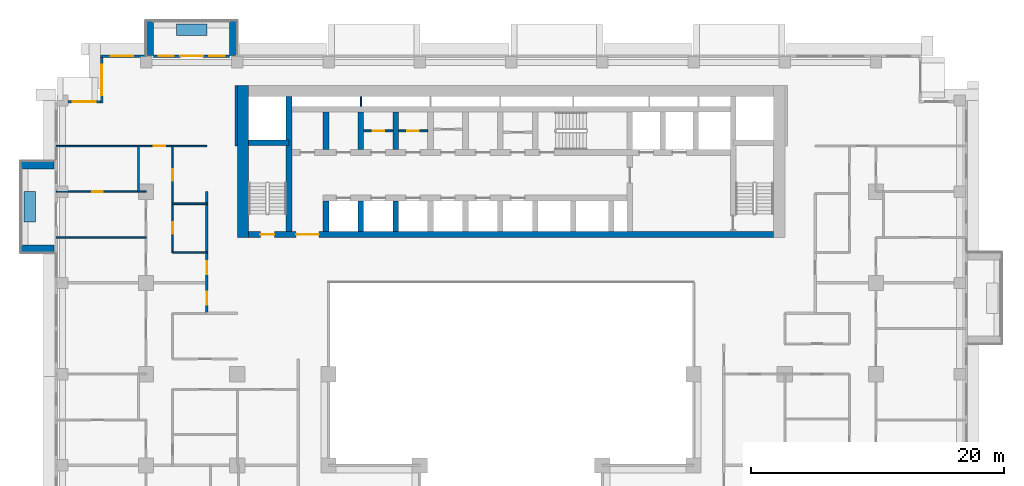
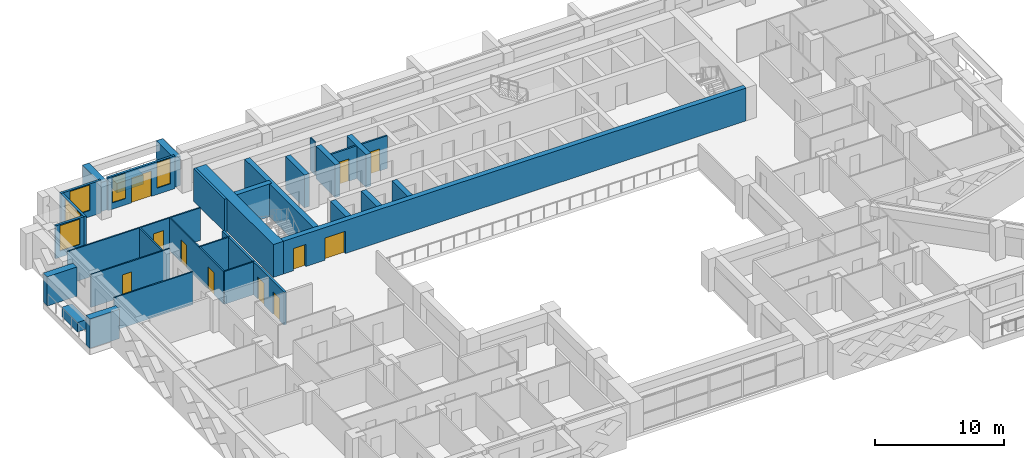
# One storey, part 9 of 17: 32 walls, 11 doors, 5 windows, 16 openings.
"""IFC4 building model written with IfcOpenShell, lengths in metres."""

from ifc_helpers import new_model, si_unit, direction, frame, frame_2d, origin, place, context, subcontext, project, spatial, rectangle, extrude, material, layer, layer_set, type_object, element, fill, save


model = new_model("IFC4")

# Units and contexts
model_context = context("Model", 3, precision=1e-05, world=origin(), true_north=direction((0.0, 1.0)))
body_context = subcontext(model_context, "Body", "Model", "MODEL_VIEW")
ifc_project = project(units=[si_unit("LENGTHUNIT", "METRE"), si_unit("AREAUNIT", "SQUARE_METRE"), si_unit("VOLUMEUNIT", "CUBIC_METRE"), si_unit("PLANEANGLEUNIT", "RADIAN"), si_unit("MASSUNIT", "GRAM", prefix="KILO")], contexts=[model_context])

# Site, building, storey
site_placement = place(None, origin())
site = spatial("IfcSite", under=ifc_project, at=site_placement, CompositionType="ELEMENT")
building_placement = place(site_placement, origin())
building = spatial("IfcBuilding", under=site, at=building_placement, Name="Saffron Iwan Residences", CompositionType="ELEMENT")
storey_placement = place(building_placement, frame((0.0, 0.0, 104.0)))
storey = spatial("IfcBuildingStorey", under=building, at=storey_placement, Name="L27", CompositionType="ELEMENT", Elevation=104.0)

# Walls
ifc_material_1 = material(Name="Concrete C50/60 white painted", Category="concrete")
ifc_layer_1 = layer(ifc_material_1, 0.60009765625)
ifc_layer_set_1 = layer_set([ifc_layer_1], Name="Concrete C50/60 white painted")
wall_type_1 = type_object("IfcWallType", Name="BALCONY FIN 600", PredefinedType="SOLIDWALL", material=ifc_layer_set_1)
for number, where, z_axis, x_axis, name in (
    (1, (28.5, 80.35009765625, 0.0), (0.0, 0.0, 1.0), (0.0, 1.0, 0.0), "Balcony fin L27 F5-3a"),
    (2, (21.89990234375, 80.35009765625, 0.0), (0.0, 0.0, 1.0), (0.0, 1.0, 0.0), "Balcony fin L27 F5-3b"),
):
    element("IfcWall", number, at=place(storey_placement, frame(where, z_axis=z_axis, x_axis=x_axis)), inside=storey, type_object=wall_type_1, Name=name, PredefinedType="SOLIDWALL", context=body_context, shape_type="SweptSolid", body=[
        extrude(rectangle(XDim=2.75, YDim=0.60009765625, at=frame_2d((1.375, 0.0))), origin(), (0.0, 0.0, 1.0), 2.77001953125),
    ])
for number, where, z_axis, x_axis, name in (
    (3, (14.35009765625, 71.699951171875, 0.0), (0.0, 0.0, 1.0), (-1.0, 0.0, 0.0), "Balcony fin L27 F8-0a"),
    (4, (14.35009765625, 65.10009765625, 0.0), (0.0, 0.0, 1.0), (-1.0, 0.0, 0.0), "Balcony fin L27 F8-0b"),
):
    element("IfcWall", number, at=place(storey_placement, frame(where, z_axis=z_axis, x_axis=x_axis)), inside=storey, type_object=wall_type_1, Name=name, PredefinedType="SOLIDWALL", context=body_context, shape_type="SweptSolid", body=[
        extrude(rectangle(XDim=2.650146484375, YDim=0.60009765625, at=frame_2d((1.3251953125, 0.0))), origin(), (0.0, 0.0, 1.0), 2.77001953125),
    ])
ifc_material_2 = material(Name="Concrete C35/45 white painted", Category="concrete")
ifc_layer_2 = layer(ifc_material_2, 0.14990234375)
ifc_layer_set_2 = layer_set([ifc_layer_2], Name="Concrete C35/45 white painted")
wall_type_2 = type_object("IfcWallType", Name="BALCONY PLANTER", PredefinedType="SOLIDWALL", material=ifc_layer_set_2)
wall_1_placement = place(storey_placement, frame((26.39990234375, 82.375, 0.0), z_axis=(0.0, 0.0, 1.0), x_axis=(-1.0, 0.0, 0.0)))
element("IfcWall", 5, at=wall_1_placement, inside=storey, type_object=wall_type_2, Name="PLANTER L27 F5-3", PredefinedType="SOLIDWALL", context=body_context, shape_type="SweptSolid", body=[
    extrude(rectangle(XDim=2.39990234375, YDim=0.89990234375, at=frame_2d((1.199951171875, 0.0))), origin(), (0.0, 0.0, 1.0), 0.89990234375),
])
wall_2_placement = place(storey_placement, frame((12.425048828125, 69.60009765625, 0.0), z_axis=(0.0, 0.0, 1.0), x_axis=(0.0, -1.0, 0.0)))
element("IfcWall", 6, at=wall_2_placement, inside=storey, type_object=wall_type_2, Name="PLANTER L27 F8-0", PredefinedType="SOLIDWALL", context=body_context, shape_type="SweptSolid", body=[
    extrude(rectangle(XDim=2.400146484375, YDim=0.89990234375, at=frame_2d((1.2001953125, 0.0))), origin(), (0.0, 0.0, 1.0), 0.89990234375),
])

# Wall, opening, door
ifc_material_3 = material(Name="Fire-rated plasterboard partition")
ifc_layer_3 = layer(ifc_material_3, 0.14990234375)
ifc_layer_set_3 = layer_set([ifc_layer_3], Name="Fire-rated plasterboard partition")
wall_type_3 = type_object("IfcWallType", Name="Core partition 150", PredefinedType="PARTITIONING", material=ifc_layer_set_3)
wall_3_placement = place(storey_placement, frame((38.77490234375, 74.39990234375, 0.0), z_axis=(0.0, 0.0, 1.0), x_axis=(1.0, 0.0, 0.0)))
wall_3 = element("IfcWall", 7, at=wall_3_placement, inside=storey, type_object=wall_type_3, Name="Core partition P01", PredefinedType="PARTITIONING", context=body_context, shape_type="SweptSolid", body=[
    extrude(rectangle(XDim=2.300048828125, YDim=0.14990234375, at=frame_2d((1.14990234375, 0.0))), origin(), (0.0, 0.0, 1.0), 3.10009765625),
])
opening_1_placement = place(wall_3_placement, frame((0.699951171875, 0.0, 0.0)))
opening_1 = element("IfcOpeningElement", 8, at=opening_1_placement, cuts=wall_3, Name="Opening SB", PredefinedType="OPENING", context=body_context, shape_type="SweptSolid", body=[
    extrude(rectangle(XDim=0.89990234375, YDim=2.10009765625, at=frame_2d((0.449951171875, 1.050048828125))), frame((0.0, 0.0849609375, 0.0), z_axis=(0.0, -1.0, 0.0), x_axis=(1.0, 0.0, 0.0)), (0.0, 0.0, 1.0), 0.169921875),
])
ifc_material_4 = material(Name="Steel fire door", Category="steel")
door_type_1 = type_object("IfcDoorType", Name="Store door 900", OperationType="NOTDEFINED", PredefinedType="DOOR", material=ifc_material_4)
door_1_placement = place(opening_1_placement, origin())
door_1 = element("IfcDoor", 9, at=door_1_placement, inside=storey, type_object=door_type_1, Name="Door Records store", OperationType="SINGLE_SWING_RIGHT", OverallHeight=2.10009765625, OverallWidth=0.89990234375, PredefinedType="DOOR", context=body_context, shape_type="SweptSolid", body=[
    extrude(rectangle(XDim=0.89990234375, YDim=2.10009765625, at=frame_2d((0.449951171875, 1.050048828125))), frame((0.0, 0.02490234375, 0.0), z_axis=(0.0, -1.0, 0.0), x_axis=(1.0, 0.0, 0.0)), (0.0, 0.0, 1.0), 0.050048828125),
])
fill(opening_1, door_1)

wall_4_placement = place(storey_placement, frame((41.52490234375, 74.39990234375, 0.0), z_axis=(0.0, 0.0, 1.0), x_axis=(1.0, 0.0, 0.0)))
wall_4 = element("IfcWall", 10, at=wall_4_placement, inside=storey, type_object=wall_type_3, Name="Core partition P02", PredefinedType="PARTITIONING", context=body_context, shape_type="SweptSolid", body=[
    extrude(rectangle(XDim=2.300048828125, YDim=0.14990234375, at=frame_2d((1.14990234375, 0.0))), origin(), (0.0, 0.0, 1.0), 3.10009765625),
])
opening_2_placement = place(wall_4_placement, frame((0.699951171875, 0.0, 0.0)))
opening_2 = element("IfcOpeningElement", 11, at=opening_2_placement, cuts=wall_4, Name="Opening SB", PredefinedType="OPENING", context=body_context, shape_type="SweptSolid", body=[
    extrude(rectangle(XDim=0.89990234375, YDim=2.10009765625, at=frame_2d((0.449951171875, 1.050048828125))), frame((0.0, 0.0849609375, 0.0), z_axis=(0.0, -1.0, 0.0), x_axis=(1.0, 0.0, 0.0)), (0.0, 0.0, 1.0), 0.169921875),
])
door_2_placement = place(opening_2_placement, origin())
door_2 = element("IfcDoor", 12, at=door_2_placement, inside=storey, type_object=door_type_1, Name="Door Stationery store", OperationType="SINGLE_SWING_LEFT", OverallHeight=2.10009765625, OverallWidth=0.89990234375, PredefinedType="DOOR", context=body_context, shape_type="SweptSolid", body=[
    extrude(rectangle(XDim=0.89990234375, YDim=2.10009765625, at=frame_2d((0.449951171875, 1.050048828125))), frame((0.0, 0.02490234375, 0.0), z_axis=(0.0, -1.0, 0.0), x_axis=(1.0, 0.0, 0.0)), (0.0, 0.0, 1.0), 0.050048828125),
])
fill(opening_2, door_2)

# Wall, openings, door, windows
ifc_material_5 = material(Name="Concrete C40/50", Category="concrete")
ifc_layer_4 = layer(ifc_material_5, 0.199951171875)
ifc_layer_set_4 = layer_set([ifc_layer_4], Name="Concrete C40/50")
wall_type_4 = type_object("IfcWallType", Name="EXTERNAL WALL 200", PredefinedType="SOLIDWALL", material=ifc_layer_set_4)
wall_5_placement = place(storey_placement, frame((28.199951171875, 80.300048828125, 0.0), z_axis=(0.0, 0.0, 1.0), x_axis=(-1.0, 0.0, 0.0)))
wall_5 = element("IfcWall", 13, at=wall_5_placement, inside=storey, type_object=wall_type_4, Name="External wall L27 F5.1", PredefinedType="SOLIDWALL", context=body_context, shape_type="SweptSolid", body=[
    extrude(rectangle(XDim=6.0, YDim=0.199951171875, at=frame_2d((3.0, 0.0))), origin(), (0.0, 0.0, 1.0), 3.10009765625),
])
opening_3_placement = place(wall_5_placement, frame((2.10009765625, 0.0, 0.0)))
opening_3 = element("IfcOpeningElement", 14, at=opening_3_placement, cuts=wall_5, Name="Opening BD1", PredefinedType="OPENING", context=body_context, shape_type="SweptSolid", body=[
    extrude(rectangle(XDim=1.800048828125, YDim=2.39990234375, at=frame_2d((0.89990234375, 1.199951171875))), frame((0.0, 0.10986328125, 0.0), z_axis=(0.0, -1.0, 0.0), x_axis=(1.0, 0.0, 0.0)), (0.0, 0.0, 1.0), 0.219970703125),
])
opening_4_placement = place(wall_5_placement, frame((0.39990234375, 0.0, 0.60009765625)))
opening_4 = element("IfcOpeningElement", 15, at=opening_4_placement, cuts=wall_5, Name="Opening W3", PredefinedType="OPENING", context=body_context, shape_type="SweptSolid", body=[
    extrude(rectangle(XDim=1.199951171875, YDim=2.39990234375, at=frame_2d((0.60009765625, 1.199951171875))), frame((0.0, 0.10986328125, 0.0), z_axis=(0.0, -1.0, 0.0), x_axis=(1.0, 0.0, 0.0)), (0.0, 0.0, 1.0), 0.219970703125),
])
opening_5_placement = place(wall_5_placement, frame((4.39990234375, 0.0, 0.60009765625)))
opening_5 = element("IfcOpeningElement", 16, at=opening_5_placement, cuts=wall_5, Name="Opening W3", PredefinedType="OPENING", context=body_context, shape_type="SweptSolid", body=[
    extrude(rectangle(XDim=1.199951171875, YDim=2.39990234375, at=frame_2d((0.60009765625, 1.199951171875))), frame((0.0, 0.10986328125, 0.0), z_axis=(0.0, -1.0, 0.0), x_axis=(1.0, 0.0, 0.0)), (0.0, 0.0, 1.0), 0.219970703125),
])
ifc_material_6 = material(Name="Clear glass, laminated double glazed", Category="glass")
door_type_2 = type_object("IfcDoorType", Name="BALCONY DOOR 1800 x 2400", OperationType="DOUBLE_DOOR_SLIDING", PredefinedType="DOOR", material=ifc_material_6)
door_3_placement = place(opening_3_placement, origin())
door_3 = element("IfcDoor", 17, at=door_3_placement, inside=storey, type_object=door_type_2, Name="Balcony door L27 F5.0", OperationType="DOUBLE_DOOR_SLIDING", OverallHeight=2.39990234375, OverallWidth=1.800048828125, PredefinedType="DOOR", context=body_context, shape_type="SweptSolid", body=[
    extrude(rectangle(XDim=1.800048828125, YDim=2.39990234375, at=frame_2d((0.89990234375, 1.199951171875))), frame((0.0, 0.02490234375, 0.0), z_axis=(0.0, -1.0, 0.0), x_axis=(1.0, 0.0, 0.0)), (0.0, 0.0, 1.0), 0.050048828125),
])
fill(opening_3, door_3)
window_type_1 = type_object("IfcWindowType", Name="WINDOW 1200 x 2400", PartitioningType="SINGLE_PANEL", PredefinedType="WINDOW", material=ifc_material_6)
window_1_placement = place(opening_4_placement, origin())
window_1 = element("IfcWindow", 18, at=window_1_placement, inside=storey, type_object=window_type_1, Name="Window L27 F5.1", OverallHeight=2.39990234375, OverallWidth=1.199951171875, PartitioningType="SINGLE_PANEL", PredefinedType="WINDOW", context=body_context, shape_type="SweptSolid", body=[
    extrude(rectangle(XDim=1.199951171875, YDim=2.39990234375, at=frame_2d((0.60009765625, 1.199951171875))), frame((0.0, 0.030029296875, 0.0), z_axis=(0.0, -1.0, 0.0), x_axis=(1.0, 0.0, 0.0)), (0.0, 0.0, 1.0), 0.06005859375),
])
fill(opening_4, window_1)
window_2_placement = place(opening_5_placement, origin())
window_2 = element("IfcWindow", 19, at=window_2_placement, inside=storey, type_object=window_type_1, Name="Window L27 F5.2", OverallHeight=2.39990234375, OverallWidth=1.199951171875, PartitioningType="SINGLE_PANEL", PredefinedType="WINDOW", context=body_context, shape_type="SweptSolid", body=[
    extrude(rectangle(XDim=1.199951171875, YDim=2.39990234375, at=frame_2d((0.60009765625, 1.199951171875))), frame((0.0, 0.030029296875, 0.0), z_axis=(0.0, -1.0, 0.0), x_axis=(1.0, 0.0, 0.0)), (0.0, 0.0, 1.0), 0.06005859375),
])
fill(opening_5, window_2)

# Wall, opening, window
wall_6_placement = place(storey_placement, frame((21.60009765625, 80.300048828125, 0.0), z_axis=(0.0, 0.0, 1.0), x_axis=(-1.0, 0.0, 0.0)))
wall_6 = element("IfcWall", 20, at=wall_6_placement, inside=storey, type_object=wall_type_4, Name="External wall L27 F5.2", PredefinedType="SOLIDWALL", context=body_context, shape_type="SweptSolid", body=[
    extrude(rectangle(XDim=3.60009765625, YDim=0.199951171875, at=frame_2d((1.800048828125, 0.0))), origin(), (0.0, 0.0, 1.0), 3.10009765625),
])
opening_6_placement = place(wall_6_placement, frame((1.0, 0.0, 0.60009765625)))
opening_6 = element("IfcOpeningElement", 21, at=opening_6_placement, cuts=wall_6, Name="Opening W8", PredefinedType="OPENING", context=body_context, shape_type="SweptSolid", body=[
    extrude(rectangle(XDim=1.800048828125, YDim=2.39990234375, at=frame_2d((0.89990234375, 1.199951171875))), frame((0.0, 0.10986328125, 0.0), z_axis=(0.0, -1.0, 0.0), x_axis=(1.0, 0.0, 0.0)), (0.0, 0.0, 1.0), 0.219970703125),
])
window_type_2 = type_object("IfcWindowType", Name="WINDOW 1800 x 2400", PartitioningType="DOUBLE_PANEL_VERTICAL", PredefinedType="WINDOW", material=ifc_material_6)
window_3_placement = place(opening_6_placement, origin())
window_3 = element("IfcWindow", 22, at=window_3_placement, inside=storey, type_object=window_type_2, Name="Window L27 F5.0", OverallHeight=2.39990234375, OverallWidth=1.800048828125, PartitioningType="DOUBLE_PANEL_VERTICAL", PredefinedType="WINDOW", context=body_context, shape_type="SweptSolid", body=[
    extrude(rectangle(XDim=1.800048828125, YDim=2.39990234375, at=frame_2d((0.89990234375, 1.199951171875))), frame((0.0, 0.030029296875, 0.0), z_axis=(0.0, -1.0, 0.0), x_axis=(1.0, 0.0, 0.0)), (0.0, 0.0, 1.0), 0.06005859375),
])
fill(opening_6, window_3)

wall_7_placement = place(storey_placement, frame((18.10009765625, 80.199951171875, 0.0), z_axis=(0.0, 0.0, 1.0), x_axis=(0.0, -1.0, 0.0)))
wall_7 = element("IfcWall", 23, at=wall_7_placement, inside=storey, type_object=wall_type_4, Name="External wall L27 F6.0", PredefinedType="SOLIDWALL", context=body_context, shape_type="SweptSolid", body=[
    extrude(rectangle(XDim=3.599853515625, YDim=0.199951171875, at=frame_2d((1.7998046875, 0.0))), origin(), (0.0, 0.0, 1.0), 3.10009765625),
])
opening_7_placement = place(wall_7_placement, frame((0.60009765625, 0.0, 0.60009765625)))
opening_7 = element("IfcOpeningElement", 24, at=opening_7_placement, cuts=wall_7, Name="Opening W1", PredefinedType="OPENING", context=body_context, shape_type="SweptSolid", body=[
    extrude(rectangle(XDim=2.39990234375, YDim=2.39990234375, at=frame_2d((1.199951171875, 1.199951171875))), frame((0.0, 0.10986328125, 0.0), z_axis=(0.0, -1.0, 0.0), x_axis=(1.0, 0.0, 0.0)), (0.0, 0.0, 1.0), 0.219970703125),
])
window_type_3 = type_object("IfcWindowType", Name="WINDOW 2400 x 2400", PartitioningType="DOUBLE_PANEL_VERTICAL", PredefinedType="WINDOW", material=ifc_material_6)
window_4_placement = place(opening_7_placement, origin())
window_4 = element("IfcWindow", 25, at=window_4_placement, inside=storey, type_object=window_type_3, Name="Window L27 F6.0", OverallHeight=2.39990234375, OverallWidth=2.39990234375, PartitioningType="DOUBLE_PANEL_VERTICAL", PredefinedType="WINDOW", context=body_context, shape_type="SweptSolid", body=[
    extrude(rectangle(XDim=2.39990234375, YDim=2.39990234375, at=frame_2d((1.199951171875, 1.199951171875))), frame((0.0, 0.030029296875, 0.0), z_axis=(0.0, -1.0, 0.0), x_axis=(1.0, 0.0, 0.0)), (0.0, 0.0, 1.0), 0.06005859375),
])
fill(opening_7, window_4)

wall_8_placement = place(storey_placement, frame((18.0, 76.699951171875, 0.0), z_axis=(0.0, 0.0, 1.0), x_axis=(-1.0, 0.0, 0.0)))
wall_8 = element("IfcWall", 26, at=wall_8_placement, inside=storey, type_object=wall_type_4, Name="External wall L27 F7.0", PredefinedType="SOLIDWALL", context=body_context, shape_type="SweptSolid", body=[
    extrude(rectangle(XDim=2.550048828125, YDim=0.199951171875, at=frame_2d((1.27490234375, 0.0))), origin(), (0.0, 0.0, 1.0), 3.10009765625),
])
opening_8_placement = place(wall_8_placement, frame((0.375, 0.0, 0.60009765625)))
opening_8 = element("IfcOpeningElement", 27, at=opening_8_placement, cuts=wall_8, Name="Opening W8", PredefinedType="OPENING", context=body_context, shape_type="SweptSolid", body=[
    extrude(rectangle(XDim=1.800048828125, YDim=2.39990234375, at=frame_2d((0.89990234375, 1.199951171875))), frame((0.0, 0.10986328125, 0.0), z_axis=(0.0, -1.0, 0.0), x_axis=(1.0, 0.0, 0.0)), (0.0, 0.0, 1.0), 0.219970703125),
])
window_5_placement = place(opening_8_placement, origin())
window_5 = element("IfcWindow", 28, at=window_5_placement, inside=storey, type_object=window_type_2, Name="Window L27 F7.0", OverallHeight=2.39990234375, OverallWidth=1.800048828125, PartitioningType="DOUBLE_PANEL_VERTICAL", PredefinedType="WINDOW", context=body_context, shape_type="SweptSolid", body=[
    extrude(rectangle(XDim=1.800048828125, YDim=2.39990234375, at=frame_2d((0.89990234375, 1.199951171875))), frame((0.0, 0.030029296875, 0.0), z_axis=(0.0, -1.0, 0.0), x_axis=(1.0, 0.0, 0.0)), (0.0, 0.0, 1.0), 0.06005859375),
])
fill(opening_8, window_5)

# Walls
ifc_material_7 = material(Name="Gypsum board partition")
ifc_layer_5 = layer(ifc_material_7, 0.1201171875)
ifc_layer_set_5 = layer_set([ifc_layer_5], Name="Gypsum board partition")
wall_type_5 = type_object("IfcWallType", Name="Flat partition 120", PredefinedType="PARTITIONING", material=ifc_layer_set_5)
wall_9_placement = place(storey_placement, frame((23.699951171875, 64.800048828125, 0.0), z_axis=(0.0, 0.0, 1.0), x_axis=(1.0, 0.0, 0.0)))
element("IfcWall", 29, at=wall_9_placement, inside=storey, type_object=wall_type_5, Name="W-L27-PART-h64.8-23.7", PredefinedType="PARTITIONING", context=body_context, shape_type="SweptSolid", body=[
    extrude(rectangle(XDim=2.699951171875, YDim=0.1201171875, at=frame_2d((1.35009765625, 0.0))), origin(), (0.0, 0.0, 1.0), 3.10009765625),
])
wall_10_placement = place(storey_placement, frame((14.52490234375, 66.0, 0.0), z_axis=(0.0, 0.0, 1.0), x_axis=(1.0, 0.0, 0.0)))
element("IfcWall", 30, at=wall_10_placement, inside=storey, type_object=wall_type_5, Name="W-L27-PART-h66-14.525", PredefinedType="PARTITIONING", context=body_context, shape_type="SweptSolid", body=[
    extrude(rectangle(XDim=7.0751953125, YDim=0.1201171875, at=frame_2d((3.53759765625, 0.0))), origin(), (0.0, 0.0, 1.0), 3.10009765625),
])
wall_11_placement = place(storey_placement, frame((23.699951171875, 68.64990234375, 0.0), z_axis=(0.0, 0.0, 1.0), x_axis=(1.0, 0.0, 0.0)))
element("IfcWall", 31, at=wall_11_placement, inside=storey, type_object=wall_type_5, Name="W-L27-PART-h68.65-23.7", PredefinedType="PARTITIONING", context=body_context, shape_type="SweptSolid", body=[
    extrude(rectangle(XDim=2.699951171875, YDim=0.1201171875, at=frame_2d((1.35009765625, 0.0))), origin(), (0.0, 0.0, 1.0), 3.10009765625),
])

# Wall, opening, door
wall_12_placement = place(storey_placement, frame((14.52490234375, 69.60009765625, 0.0), z_axis=(0.0, 0.0, 1.0), x_axis=(1.0, 0.0, 0.0)))
wall_12 = element("IfcWall", 32, at=wall_12_placement, inside=storey, type_object=wall_type_5, Name="W-L27-PART-h69.6-14.525", PredefinedType="PARTITIONING", context=body_context, shape_type="SweptSolid", body=[
    extrude(rectangle(XDim=7.0751953125, YDim=0.1201171875, at=frame_2d((3.53759765625, 0.0))), origin(), (0.0, 0.0, 1.0), 3.10009765625),
])
opening_9_placement = place(wall_12_placement, frame((2.83740234375, 0.0, 0.0)))
opening_9 = element("IfcOpeningElement", 33, at=opening_9_placement, cuts=wall_12, Name="Opening FD3", PredefinedType="OPENING", context=body_context, shape_type="SweptSolid", body=[
    extrude(rectangle(XDim=0.800048828125, YDim=2.10009765625, at=frame_2d((0.39990234375, 1.050048828125))), frame((0.0, 0.070068359375, 0.0), z_axis=(0.0, -1.0, 0.0), x_axis=(1.0, 0.0, 0.0)), (0.0, 0.0, 1.0), 0.14013671875),
])
ifc_material_8 = material(Name="Timber door", Category="wood")
door_type_3 = type_object("IfcDoorType", Name="Bathroom door 800", OperationType="NOTDEFINED", PredefinedType="DOOR", material=ifc_material_8)
door_4_placement = place(opening_9_placement, origin())
door_4 = element("IfcDoor", 34, at=door_4_placement, inside=storey, type_object=door_type_3, Name="Door L27-031", OperationType="SINGLE_SWING_RIGHT", OverallHeight=2.10009765625, OverallWidth=0.800048828125, PredefinedType="DOOR", context=body_context, shape_type="SweptSolid", body=[
    extrude(rectangle(XDim=0.800048828125, YDim=2.10009765625, at=frame_2d((0.39990234375, 1.050048828125))), frame((0.0, 0.02490234375, 0.0), z_axis=(0.0, -1.0, 0.0), x_axis=(1.0, 0.0, 0.0)), (0.0, 0.0, 1.0), 0.050048828125),
])
fill(opening_9, door_4)

wall_13_placement = place(storey_placement, frame((14.52490234375, 73.199951171875, 0.0), z_axis=(0.0, 0.0, 1.0), x_axis=(1.0, 0.0, 0.0)))
wall_13 = element("IfcWall", 35, at=wall_13_placement, inside=storey, type_object=wall_type_5, Name="W-L27-PART-h73.2-14.525", PredefinedType="PARTITIONING", context=body_context, shape_type="SweptSolid", body=[
    extrude(rectangle(XDim=11.875, YDim=0.1201171875, at=frame_2d((5.9375, 0.0))), origin(), (0.0, 0.0, 1.0), 3.10009765625),
])
opening_10_placement = place(wall_13_placement, frame((7.675048828125, 0.0, 0.0)))
opening_10 = element("IfcOpeningElement", 36, at=opening_10_placement, cuts=wall_13, Name="Opening FD2", PredefinedType="OPENING", context=body_context, shape_type="SweptSolid", body=[
    extrude(rectangle(XDim=0.89990234375, YDim=2.10009765625, at=frame_2d((0.449951171875, 1.050048828125))), frame((0.0, 0.070068359375, 0.0), z_axis=(0.0, -1.0, 0.0), x_axis=(1.0, 0.0, 0.0)), (0.0, 0.0, 1.0), 0.14013671875),
])
door_type_4 = type_object("IfcDoorType", Name="Flat door 900", OperationType="NOTDEFINED", PredefinedType="DOOR", material=ifc_material_8)
door_5_placement = place(opening_10_placement, origin())
door_5 = element("IfcDoor", 37, at=door_5_placement, inside=storey, type_object=door_type_4, Name="Door L27-032", OperationType="SINGLE_SWING_LEFT", OverallHeight=2.10009765625, OverallWidth=0.89990234375, PredefinedType="DOOR", context=body_context, shape_type="SweptSolid", body=[
    extrude(rectangle(XDim=0.89990234375, YDim=2.10009765625, at=frame_2d((0.449951171875, 1.050048828125))), frame((0.0, 0.02490234375, 0.0), z_axis=(0.0, -1.0, 0.0), x_axis=(1.0, 0.0, 0.0)), (0.0, 0.0, 1.0), 0.050048828125),
])
fill(opening_10, door_5)

# Wall
wall_14_placement = place(storey_placement, frame((21.0, 69.60009765625, 0.0), z_axis=(0.0, 0.0, 1.0), x_axis=(0.0, 1.0, 0.0)))
element("IfcWall", 38, at=wall_14_placement, inside=storey, type_object=wall_type_5, Name="W-L27-PART-v21-69.6", PredefinedType="PARTITIONING", context=body_context, shape_type="SweptSolid", body=[
    extrude(rectangle(XDim=3.599853515625, YDim=0.1201171875, at=frame_2d((1.7998046875, 0.0))), origin(), (0.0, 0.0, 1.0), 3.10009765625),
])

# Wall, openings, doors
wall_15_placement = place(storey_placement, frame((23.699951171875, 64.800048828125, 0.0), z_axis=(0.0, 0.0, 1.0), x_axis=(0.0, 1.0, 0.0)))
wall_15 = element("IfcWall", 39, at=wall_15_placement, inside=storey, type_object=wall_type_5, Name="W-L27-PART-v23.7-64.8", PredefinedType="PARTITIONING", context=body_context, shape_type="SweptSolid", body=[
    extrude(rectangle(XDim=8.39990234375, YDim=0.1201171875, at=frame_2d((4.199951171875, 0.0))), origin(), (0.0, 0.0, 1.0), 3.10009765625),
])
opening_11_placement = place(wall_15_placement, frame((1.47509765625, 0.0, 0.0)))
opening_11 = element("IfcOpeningElement", 40, at=opening_11_placement, cuts=wall_15, Name="Opening FD2", PredefinedType="OPENING", context=body_context, shape_type="SweptSolid", body=[
    extrude(rectangle(XDim=0.89990234375, YDim=2.10009765625, at=frame_2d((0.449951171875, 1.050048828125))), frame((0.0, 0.070068359375, 0.0), z_axis=(0.0, -1.0, 0.0), x_axis=(1.0, 0.0, 0.0)), (0.0, 0.0, 1.0), 0.14013671875),
])
opening_12_placement = place(wall_15_placement, frame((5.675048828125, 0.0, 0.0)))
opening_12 = element("IfcOpeningElement", 41, at=opening_12_placement, cuts=wall_15, Name="Opening FD2", PredefinedType="OPENING", context=body_context, shape_type="SweptSolid", body=[
    extrude(rectangle(XDim=0.89990234375, YDim=2.10009765625, at=frame_2d((0.449951171875, 1.050048828125))), frame((0.0, 0.070068359375, 0.0), z_axis=(0.0, -1.0, 0.0), x_axis=(1.0, 0.0, 0.0)), (0.0, 0.0, 1.0), 0.14013671875),
])
door_6_placement = place(opening_11_placement, origin())
door_6 = element("IfcDoor", 42, at=door_6_placement, inside=storey, type_object=door_type_4, Name="Door L27-033", OperationType="SINGLE_SWING_LEFT", OverallHeight=2.10009765625, OverallWidth=0.89990234375, PredefinedType="DOOR", context=body_context, shape_type="SweptSolid", body=[
    extrude(rectangle(XDim=0.89990234375, YDim=2.10009765625, at=frame_2d((0.449951171875, 1.050048828125))), frame((0.0, 0.02490234375, 0.0), z_axis=(0.0, -1.0, 0.0), x_axis=(1.0, 0.0, 0.0)), (0.0, 0.0, 1.0), 0.050048828125),
])
fill(opening_11, door_6)
door_7_placement = place(opening_12_placement, origin())
door_7 = element("IfcDoor", 43, at=door_7_placement, inside=storey, type_object=door_type_4, Name="Door L27-034", OperationType="SINGLE_SWING_RIGHT", OverallHeight=2.10009765625, OverallWidth=0.89990234375, PredefinedType="DOOR", context=body_context, shape_type="SweptSolid", body=[
    extrude(rectangle(XDim=0.89990234375, YDim=2.10009765625, at=frame_2d((0.449951171875, 1.050048828125))), frame((0.0, 0.02490234375, 0.0), z_axis=(0.0, -1.0, 0.0), x_axis=(1.0, 0.0, 0.0)), (0.0, 0.0, 1.0), 0.050048828125),
])
fill(opening_12, door_7)

ifc_material_9 = material(Name="Fire-rated gypsum board wall")
ifc_layer_6 = layer(ifc_material_9, 0.199951171875)
ifc_layer_set_6 = layer_set([ifc_layer_6], Name="Fire-rated gypsum board wall")
wall_type_6 = type_object("IfcWallType", Name="Gallery wall 200", PredefinedType="SOLIDWALL", material=ifc_layer_set_6)
wall_16_placement = place(storey_placement, frame((26.39990234375, 60.0, 0.0), z_axis=(0.0, 0.0, 1.0), x_axis=(0.0, 1.0, 0.0)))
wall_16 = element("IfcWall", 44, at=wall_16_placement, inside=storey, type_object=wall_type_6, Name="W-L27-CORR-v26.4-60", PredefinedType="SOLIDWALL", context=body_context, shape_type="SweptSolid", body=[
    extrude(rectangle(XDim=9.60009765625, YDim=0.199951171875, at=frame_2d((4.800048828125, 0.0))), origin(), (0.0, 0.0, 1.0), 3.10009765625),
])
opening_13_placement = place(wall_16_placement, frame((0.699951171875, 0.0, 0.0)))
opening_13 = element("IfcOpeningElement", 45, at=opening_13_placement, cuts=wall_16, Name="Opening FD1", PredefinedType="OPENING", context=body_context, shape_type="SweptSolid", body=[
    extrude(rectangle(XDim=1.0, YDim=2.10009765625, at=frame_2d((0.5, 1.050048828125))), frame((0.0, 0.10986328125, 0.0), z_axis=(0.0, -1.0, 0.0), x_axis=(1.0, 0.0, 0.0)), (0.0, 0.0, 1.0), 0.219970703125),
])
opening_14_placement = place(wall_16_placement, frame((3.10009765625, 0.0, 0.0)))
opening_14 = element("IfcOpeningElement", 46, at=opening_14_placement, cuts=wall_16, Name="Opening FD1", PredefinedType="OPENING", context=body_context, shape_type="SweptSolid", body=[
    extrude(rectangle(XDim=1.0, YDim=2.10009765625, at=frame_2d((0.5, 1.050048828125))), frame((0.0, 0.10986328125, 0.0), z_axis=(0.0, -1.0, 0.0), x_axis=(1.0, 0.0, 0.0)), (0.0, 0.0, 1.0), 0.219970703125),
])
ifc_material_10 = material(Name="Fire-rated timber door", Category="wood")
door_type_5 = type_object("IfcDoorType", Name="FD30S flat entrance door 1000", OperationType="NOTDEFINED", PredefinedType="DOOR", material=ifc_material_10)
door_8_placement = place(opening_13_placement, origin())
door_8 = element("IfcDoor", 47, at=door_8_placement, inside=storey, type_object=door_type_5, Name="Door L27-012", OperationType="SINGLE_SWING_LEFT", OverallHeight=2.10009765625, OverallWidth=1.0, PredefinedType="DOOR", context=body_context, shape_type="SweptSolid", body=[
    extrude(rectangle(XDim=1.0, YDim=2.10009765625, at=frame_2d((0.5, 1.050048828125))), frame((0.0, 0.02490234375, 0.0), z_axis=(0.0, -1.0, 0.0), x_axis=(1.0, 0.0, 0.0)), (0.0, 0.0, 1.0), 0.050048828125),
])
fill(opening_13, door_8)
door_9_placement = place(opening_14_placement, origin())
door_9 = element("IfcDoor", 48, at=door_9_placement, inside=storey, type_object=door_type_5, Name="Door L27-028", OperationType="SINGLE_SWING_RIGHT", OverallHeight=2.10009765625, OverallWidth=1.0, PredefinedType="DOOR", context=body_context, shape_type="SweptSolid", body=[
    extrude(rectangle(XDim=1.0, YDim=2.10009765625, at=frame_2d((0.5, 1.050048828125))), frame((0.0, 0.02490234375, 0.0), z_axis=(0.0, -1.0, 0.0), x_axis=(1.0, 0.0, 0.0)), (0.0, 0.0, 1.0), 0.050048828125),
])
fill(opening_14, door_9)

# Walls
wall_17_placement = place(storey_placement, frame((28.699951171875, 73.199951171875, 0.0), z_axis=(0.0, 0.0, 1.0), x_axis=(0.0, 1.0, 0.0)))
element("IfcWall", 49, at=wall_17_placement, inside=storey, type_object=wall_type_6, Name="W-L27-CORR-v28.8-73.2", PredefinedType="SOLIDWALL", context=body_context, shape_type="SweptSolid", body=[
    extrude(rectangle(XDim=4.800048828125, YDim=0.199951171875, at=frame_2d((2.39990234375, 0.0))), origin(), (0.0, 0.0, 1.0), 3.10009765625),
])
ifc_layer_7 = layer(ifc_material_3, 0.10009765625)
ifc_layer_set_7 = layer_set([ifc_layer_7], Name="Fire-rated plasterboard partition")
wall_type_7 = type_object("IfcWallType", Name="Riser partition 100", PredefinedType="PARTITIONING", material=ifc_layer_set_7)
wall_18_placement = place(storey_placement, frame((38.550048828125, 76.324951171875, 0.0), z_axis=(0.0, 0.0, 1.0), x_axis=(0.0, 1.0, 0.0)))
element("IfcWall", 50, at=wall_18_placement, inside=storey, type_object=wall_type_7, Name="Core partition P05", PredefinedType="PARTITIONING", context=body_context, shape_type="SweptSolid", body=[
    extrude(rectangle(XDim=0.775146484375, YDim=0.10009765625, at=frame_2d((0.3876953125, 0.0))), origin(), (0.0, 0.0, 1.0), 3.10009765625),
])

# Wall, openings, doors
ifc_material_11 = material(Name="Concrete C60/75", Category="concrete")
ifc_layer_8 = layer(ifc_material_11, 0.449951171875)
ifc_layer_set_8 = layer_set([ifc_layer_8], Name="Concrete C60/75")
wall_type_8 = type_object("IfcWallType", Name="WALL CORE 450 C60/75 3100 HIGH", PredefinedType="SHEAR", material=ifc_layer_set_8)
wall_19_placement = place(storey_placement, frame((29.699951171875, 66.22509765625, 0.0), z_axis=(0.0, 0.0, 1.0), x_axis=(1.0, 0.0, 0.0)))
wall_19 = element("IfcWall", 51, at=wall_19_placement, inside=storey, type_object=wall_type_8, Name="Core wall", PredefinedType="SHEAR", context=body_context, shape_type="SweptSolid", body=[
    extrude(rectangle(XDim=41.400146484375, YDim=0.449951171875, at=frame_2d((20.7001953125, 0.0))), origin(), (0.0, 0.0, 1.0), 3.10009765625),
])
opening_15_placement = place(wall_19_placement, frame((0.925048828125, 0.0, 0.0)))
opening_15 = element("IfcOpeningElement", 52, at=opening_15_placement, cuts=wall_19, Name="Opening SD", PredefinedType="OPENING", context=body_context, shape_type="SweptSolid", body=[
    extrude(rectangle(XDim=1.10009765625, YDim=2.10009765625, at=frame_2d((0.550048828125, 1.050048828125))), frame((0.0, 0.23486328125, 0.0), z_axis=(0.0, -1.0, 0.0), x_axis=(1.0, 0.0, 0.0)), (0.0, 0.0, 1.0), 0.469970703125),
])
opening_16_placement = place(wall_19_placement, frame((3.737548828125, 0.0, 0.0)))
opening_16 = element("IfcOpeningElement", 53, at=opening_16_placement, cuts=wall_19, Name="Opening DD", PredefinedType="OPENING", context=body_context, shape_type="SweptSolid", body=[
    extrude(rectangle(XDim=1.800048828125, YDim=2.10009765625, at=frame_2d((0.89990234375, 1.050048828125))), frame((0.0, 0.23486328125, 0.0), z_axis=(0.0, -1.0, 0.0), x_axis=(1.0, 0.0, 0.0)), (0.0, 0.0, 1.0), 0.469970703125),
])
door_type_6 = type_object("IfcDoorType", Name="Lobby double door 1800", OperationType="DOUBLE_DOOR_SINGLE_SWING", PredefinedType="DOOR", material=ifc_material_4)
door_10_placement = place(opening_16_placement, origin())
door_10 = element("IfcDoor", 54, at=door_10_placement, inside=storey, type_object=door_type_6, Name="Lobby doors", OperationType="DOUBLE_DOOR_SINGLE_SWING", OverallHeight=2.10009765625, OverallWidth=1.800048828125, PredefinedType="DOOR", context=body_context, shape_type="SweptSolid", body=[
    extrude(rectangle(XDim=1.800048828125, YDim=2.10009765625, at=frame_2d((0.89990234375, 1.050048828125))), frame((0.0, 0.02490234375, 0.0), z_axis=(0.0, -1.0, 0.0), x_axis=(1.0, 0.0, 0.0)), (0.0, 0.0, 1.0), 0.050048828125),
])
fill(opening_16, door_10)
door_type_7 = type_object("IfcDoorType", Name="Stair door 1100", OperationType="NOTDEFINED", PredefinedType="DOOR", material=ifc_material_4)
door_11_placement = place(opening_15_placement, origin())
door_11 = element("IfcDoor", 55, at=door_11_placement, inside=storey, type_object=door_type_7, Name="Stair door ST-W", OperationType="SINGLE_SWING_LEFT", OverallHeight=2.10009765625, OverallWidth=1.10009765625, PredefinedType="DOOR", context=body_context, shape_type="SweptSolid", body=[
    extrude(rectangle(XDim=1.10009765625, YDim=2.10009765625, at=frame_2d((0.550048828125, 1.050048828125))), frame((0.0, 0.02490234375, 0.0), z_axis=(0.0, -1.0, 0.0), x_axis=(1.0, 0.0, 0.0)), (0.0, 0.0, 1.0), 0.050048828125),
])
fill(opening_15, door_11)

# Walls
wall_20_placement = place(storey_placement, frame((29.699951171875, 73.47509765625, 0.0), z_axis=(0.0, 0.0, 1.0), x_axis=(1.0, 0.0, 0.0)))
element("IfcWall", 56, at=wall_20_placement, inside=storey, type_object=wall_type_8, Name="Core wall", PredefinedType="SHEAR", context=body_context, shape_type="SweptSolid", body=[
    extrude(rectangle(XDim=3.175048828125, YDim=0.449951171875, at=frame_2d((1.58740234375, 0.0))), origin(), (0.0, 0.0, 1.0), 3.10009765625),
])
wall_21_placement = place(storey_placement, frame((32.875, 66.449951171875, 0.0), z_axis=(0.0, 0.0, 1.0), x_axis=(0.0, 1.0, 0.0)))
element("IfcWall", 57, at=wall_21_placement, inside=storey, type_object=wall_type_8, Name="Core wall", PredefinedType="SHEAR", context=body_context, shape_type="SweptSolid", body=[
    extrude(rectangle(XDim=10.650146484375, YDim=0.449951171875, at=frame_2d((5.3251953125, 0.0))), origin(), (0.0, 0.0, 1.0), 3.10009765625),
])
for number, where, z_axis, x_axis, name in (
    (58, (35.800048828125, 66.449951171875, 0.0), (0.0, 0.0, 1.0), (0.0, 1.0, 0.0), "Core wall"),
    (59, (38.550048828125, 66.449951171875, 0.0), (0.0, 0.0, 1.0), (0.0, 1.0, 0.0), "Core wall"),
    (60, (41.300048828125, 66.449951171875, 0.0), (0.0, 0.0, 1.0), (0.0, 1.0, 0.0), "Core wall"),
):
    element("IfcWall", number, at=place(storey_placement, frame(where, z_axis=z_axis, x_axis=x_axis)), inside=storey, type_object=wall_type_8, Name=name, PredefinedType="SHEAR", context=body_context, shape_type="SweptSolid", body=[
        extrude(rectangle(XDim=2.425048828125, YDim=0.449951171875, at=frame_2d((1.21240234375, 0.0))), origin(), (0.0, 0.0, 1.0), 3.10009765625),
    ])
for number, where, z_axis, x_axis, name in (
    (61, (35.800048828125, 72.925048828125, 0.0), (0.0, 0.0, 1.0), (0.0, 1.0, 0.0), "Core wall"),
    (62, (38.550048828125, 72.925048828125, 0.0), (0.0, 0.0, 1.0), (0.0, 1.0, 0.0), "Core wall"),
    (63, (41.300048828125, 72.925048828125, 0.0), (0.0, 0.0, 1.0), (0.0, 1.0, 0.0), "Core wall"),
):
    element("IfcWall", number, at=place(storey_placement, frame(where, z_axis=z_axis, x_axis=x_axis)), inside=storey, type_object=wall_type_8, Name=name, PredefinedType="SHEAR", context=body_context, shape_type="SweptSolid", body=[
        extrude(rectangle(XDim=2.949951171875, YDim=0.449951171875, at=frame_2d((1.47509765625, 0.0))), origin(), (0.0, 0.0, 1.0), 3.10009765625),
    ])
ifc_layer_9 = layer(ifc_material_11, 0.89990234375)
ifc_layer_set_9 = layer_set([ifc_layer_9], Name="Concrete C60/75")
wall_type_9 = type_object("IfcWallType", Name="WALL CORE 900 C60/75 3100 HIGH", PredefinedType="SHEAR", material=ifc_layer_set_9)
wall_22_placement = place(storey_placement, frame((29.25, 66.0, 0.0), z_axis=(0.0, 0.0, 1.0), x_axis=(0.0, 1.0, 0.0)))
element("IfcWall", 64, at=wall_22_placement, inside=storey, type_object=wall_type_9, Name="Core wall", PredefinedType="SHEAR", context=body_context, shape_type="SweptSolid", body=[
    extrude(rectangle(XDim=12.0, YDim=0.89990234375, at=frame_2d((6.0, 0.0))), origin(), (0.0, 0.0, 1.0), 3.10009765625),
])

save(model, "model.ifc")
